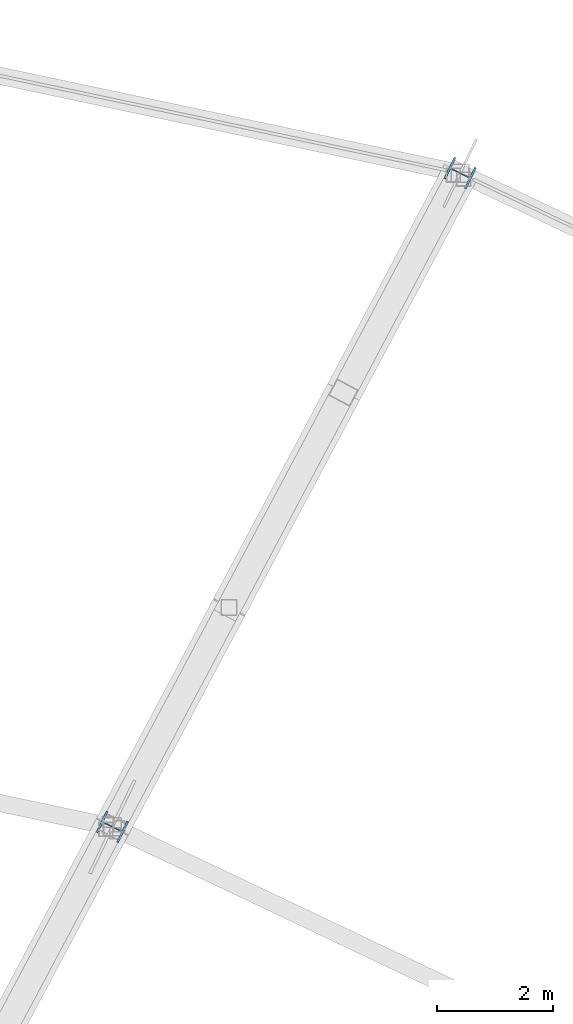
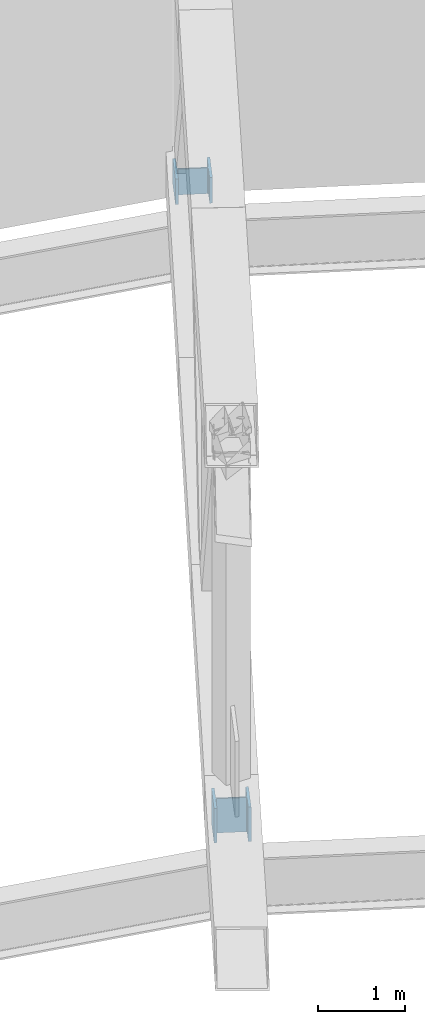
# One storey, part 13 of 162: 2 columns.
"""IFC4 building model written with IfcOpenShell, lengths in metres."""

from ifc_helpers import new_model, si_unit, direction, frame, origin, origin_2d, place, context, subcontext, project, spatial, i_section, extrude, material, material_profile, profile_set, type_object, element, save


model = new_model("IFC4")

# Units and contexts
model_context = context("Model", 3, precision=1e-05, world=origin(), true_north=direction((0.0, 1.0)))
body_context = subcontext(model_context, "Body", "Model", "MODEL_VIEW")
ifc_project = project(units=[si_unit("LENGTHUNIT", "METRE"), si_unit("AREAUNIT", "SQUARE_METRE"), si_unit("VOLUMEUNIT", "CUBIC_METRE"), si_unit("PLANEANGLEUNIT", "RADIAN"), si_unit("MASSUNIT", "GRAM", prefix="KILO")], contexts=[model_context])

# Site, building, storey
site_placement = place(None, origin())
site = spatial("IfcSite", under=ifc_project, at=site_placement, CompositionType="ELEMENT")
building_placement = place(site_placement, origin())
building = spatial("IfcBuilding", under=site, at=building_placement, Name="Kazemori Nagisa Stadium", CompositionType="ELEMENT")
storey_placement = place(building_placement, frame((0.0, 0.0, 36.719970703125)))
storey = spatial("IfcBuildingStorey", under=building, at=storey_placement, Name="RF", CompositionType="ELEMENT", Elevation=36.719970703125)

# Columns
ifc_material = material(Name="Steel SN490B", Category="steel")
ifc_material_profile = material_profile(ifc_material, i_section(OverallWidth=0.406982421875, OverallDepth=0.427978515625, WebThickness=0.02001953125, FlangeThickness=0.034912109375, FilletRadius=0.012939453125, at=origin_2d()), Name="H-428x407x20x35")
ifc_profile_set = profile_set([ifc_material_profile], Name="Steel SN490B")
column_type = type_object("IfcColumnType", Name="Column_C-H428", PredefinedType="COLUMN", material=ifc_profile_set)
column_1_placement = place(storey_placement, frame((165.8046875, 182.46435546875, 0.0), z_axis=(0.0, 0.0, 1.0), x_axis=(0.433883739113, 0.900968867905, 0.0)))
element("IfcColumn", 1, at=column_1_placement, inside=storey, type_object=column_type, Name="Roof truss bearing pedestal R3-06", PredefinedType="COLUMN", context=body_context, shape_type="SweptSolid", body=[
    extrude(i_section(OverallWidth=0.406982421875, OverallDepth=0.427978515625, WebThickness=0.02001953125, FlangeThickness=0.034912109375, FilletRadius=0.012939453125, at=origin_2d()), origin(), (0.0, 0.0, 1.0), 0.360107421875),
])
column_2_placement = place(storey_placement, frame((159.81201171875, 171.19921875, 0.0), z_axis=(0.0, 0.0, 1.0), x_axis=(0.433883739113, 0.900968867905, 0.0)))
element("IfcColumn", 2, at=column_2_placement, inside=storey, type_object=column_type, Name="Roof truss bearing pedestal R2-06", PredefinedType="COLUMN", context=body_context, shape_type="SweptSolid", body=[
    extrude(i_section(OverallWidth=0.406982421875, OverallDepth=0.427978515625, WebThickness=0.02001953125, FlangeThickness=0.034912109375, FilletRadius=0.012939453125, at=origin_2d()), origin(), (0.0, 0.0, 1.0), 0.47998046875),
])

save(model, "model.ifc")
